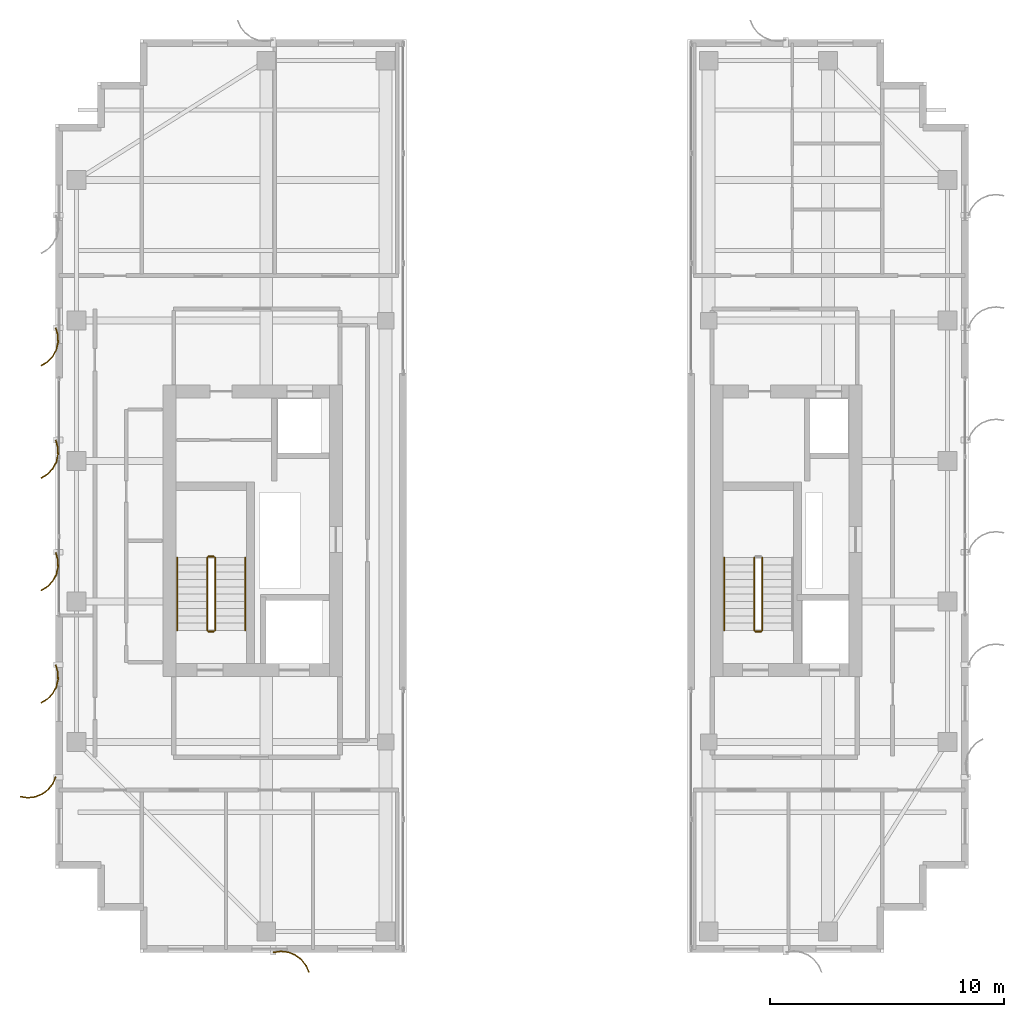
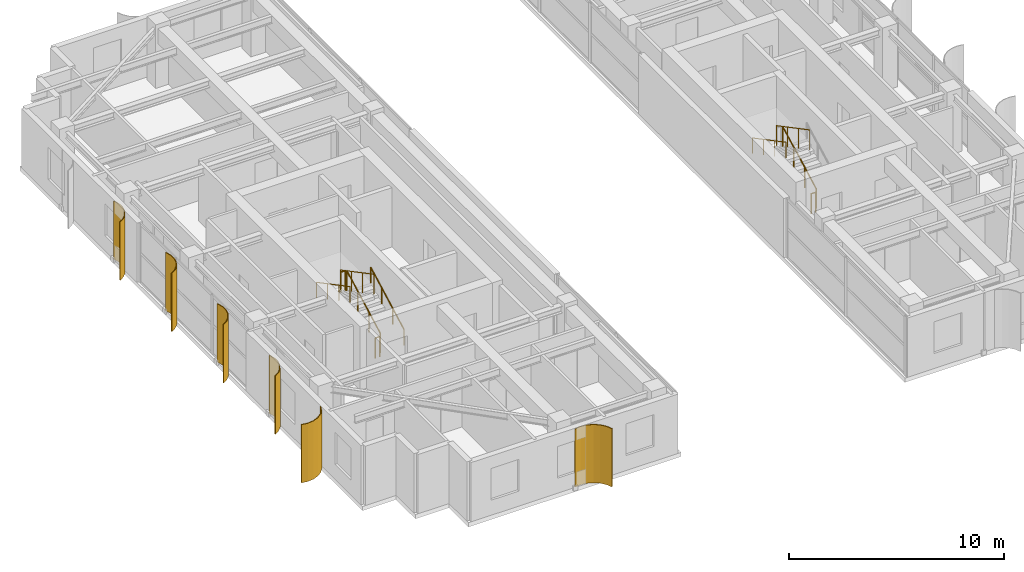
# One storey, part 22 of 24: 10 railings, 6 shading devices.
"""IFC4 building model written with IfcOpenShell, lengths in metres."""

from ifc_helpers import new_model, si_unit, direction, frame, origin, origin_2d, place, context, subcontext, project, spatial, polyline, circle, outline, extrude, source, transform, mapped, material, layer, layer_set, type_object, element, save


model = new_model("IFC4")

# Units and contexts
model_context = context("Model", 3, precision=1e-05, world=origin(), true_north=direction((0.0, 1.0)))
body_context = subcontext(model_context, "Body", "Model", "MODEL_VIEW")
ifc_project = project(units=[si_unit("LENGTHUNIT", "METRE"), si_unit("AREAUNIT", "SQUARE_METRE"), si_unit("VOLUMEUNIT", "CUBIC_METRE"), si_unit("PLANEANGLEUNIT", "RADIAN"), si_unit("MASSUNIT", "GRAM", prefix="KILO")], contexts=[model_context])

# Site, building, storey
site_placement = place(None, origin())
site = spatial("IfcSite", under=ifc_project, at=site_placement, CompositionType="ELEMENT")
building_placement = place(site_placement, origin())
building = spatial("IfcBuilding", under=site, at=building_placement, Name="Khoralis Quay Care Tower", CompositionType="ELEMENT")
storey_placement = place(building_placement, frame((0.0, 0.0, 249.300048828125)))
storey = spatial("IfcBuildingStorey", under=building, at=storey_placement, Name="L65", CompositionType="ELEMENT", Elevation=249.300048828125)

# Railings
ifc_material_1 = material(Name="Brushed stainless steel", Category="steel")
railing_type_1 = type_object("IfcRailingType", Name="RL-GUARD-1150", PredefinedType="GUARDRAIL", material=ifc_material_1)
railing_1_placement = place(storey_placement, frame((9.820068359375, 16.77001953125, 0.16357421875)))
element("IfcRailing", 1, at=railing_1_placement, inside=storey, type_object=railing_type_1, Name="L65 ST-T1 stair guard 1", PredefinedType="GUARDRAIL", context=body_context, shape_type="SweptSolid", body=[
    extrude(circle(Radius=0.02392578125, at=origin_2d()), frame((0.0, 0.0, 1.1259765625), z_axis=(0.0, 0.884348015382, 0.466828220752), x_axis=(-1.0, 0.0, 0.0)), (0.0, 0.0, 1.0), 3.505615234375),
    extrude(circle(Radius=0.02099609375, at=origin_2d()), origin(), (0.0, 0.0, 1.0), 1.101806640625),
    extrude(circle(Radius=0.02099609375, at=origin_2d()), frame((0.0, 1.033447265625, 0.54541015625)), (0.0, 0.0, 1.0), 1.101806640625),
    extrude(circle(Radius=0.02099609375, at=origin_2d()), frame((0.0, 2.066650390625, 1.091064453125)), (0.0, 0.0, 1.0), 1.101806640625),
    extrude(circle(Radius=0.02099609375, at=origin_2d()), frame((0.0, 3.10009765625, 1.636474609375)), (0.0, 0.0, 1.0), 1.101806640625),
])
railing_2_placement = place(storey_placement, frame((9.77001953125, 19.919921875, 1.800048828125)))
element("IfcRailing", 2, at=railing_2_placement, inside=storey, type_object=railing_type_1, Name="L65 ST-T1 stair guard 2", PredefinedType="GUARDRAIL", context=body_context, shape_type="SweptSolid", body=[
    extrude(circle(Radius=0.02392578125, at=origin_2d()), frame((0.0, 0.0, 1.1259765625), z_axis=(-1.0, 0.0, 0.0), x_axis=(0.0, -1.0, 0.0)), (0.0, 0.0, 1.0), 0.239990234375),
    extrude(circle(Radius=0.02099609375, at=origin_2d()), origin(), (0.0, 0.0, 1.0), 1.101806640625),
    extrude(circle(Radius=0.02099609375, at=origin_2d()), frame((-0.239990234375, 0.0, 0.0)), (0.0, 0.0, 1.0), 1.101806640625),
])
railing_3_placement = place(storey_placement, frame((9.47998046875, 19.8701171875, 1.963623046875)))
element("IfcRailing", 3, at=railing_3_placement, inside=storey, type_object=railing_type_1, Name="L65 ST-T1 stair guard 3", PredefinedType="GUARDRAIL", context=body_context, shape_type="SweptSolid", body=[
    extrude(circle(Radius=0.02392578125, at=origin_2d()), frame((0.0, 0.0, 1.1259765625), z_axis=(0.0, -0.884376766648, 0.46677375099), x_axis=(1.0, 0.0, 0.0)), (0.0, 0.0, 1.0), 3.50537109375),
    extrude(circle(Radius=0.02099609375, at=origin_2d()), origin(), (0.0, 0.0, 1.0), 1.101806640625),
    extrude(circle(Radius=0.02099609375, at=origin_2d()), frame((0.0, -1.033447265625, 0.54541015625)), (0.0, 0.0, 1.0), 1.101806640625),
    extrude(circle(Radius=0.02099609375, at=origin_2d()), frame((0.0, -2.066650390625, 1.0908203125)), (0.0, 0.0, 1.0), 1.101806640625),
    extrude(circle(Radius=0.02099609375, at=origin_2d()), frame((0.0, -3.10009765625, 1.63623046875)), (0.0, 0.0, 1.0), 1.101806640625),
])
railing_4_placement = place(storey_placement, frame((9.77001953125, 16.719970703125, 0.0)))
element("IfcRailing", 4, at=railing_4_placement, inside=storey, type_object=railing_type_1, Name="L65 ST-T1 stair guard 4", PredefinedType="GUARDRAIL", context=body_context, shape_type="SweptSolid", body=[
    extrude(circle(Radius=0.02392578125, at=origin_2d()), frame((0.0, 0.0, 1.1259765625), z_axis=(-1.0, 0.0, 0.0), x_axis=(0.0, -1.0, 0.0)), (0.0, 0.0, 1.0), 0.239990234375),
    extrude(circle(Radius=0.02099609375, at=origin_2d()), origin(), (0.0, 0.0, 1.0), 1.101806640625),
    extrude(circle(Radius=0.02099609375, at=origin_2d()), frame((-0.239990234375, 0.0, 0.0)), (0.0, 0.0, 1.0), 1.101806640625),
])
railing_5_placement = place(storey_placement, frame((33.18994140625, 16.77001953125, 0.16357421875)))
element("IfcRailing", 5, at=railing_5_placement, inside=storey, type_object=railing_type_1, Name="L65 ST-T2 stair guard 1", PredefinedType="GUARDRAIL", context=body_context, shape_type="SweptSolid", body=[
    extrude(circle(Radius=0.02392578125, at=origin_2d()), frame((0.0, 0.0, 1.1259765625), z_axis=(0.0, 0.884348015382, 0.466828220752), x_axis=(-1.0, 0.0, 0.0)), (0.0, 0.0, 1.0), 3.505615234375),
    extrude(circle(Radius=0.02099609375, at=origin_2d()), origin(), (0.0, 0.0, 1.0), 1.101806640625),
    extrude(circle(Radius=0.02099609375, at=origin_2d()), frame((0.0, 1.033447265625, 0.54541015625)), (0.0, 0.0, 1.0), 1.101806640625),
    extrude(circle(Radius=0.02099609375, at=origin_2d()), frame((0.0, 2.066650390625, 1.091064453125)), (0.0, 0.0, 1.0), 1.101806640625),
    extrude(circle(Radius=0.02099609375, at=origin_2d()), frame((0.0, 3.10009765625, 1.636474609375)), (0.0, 0.0, 1.0), 1.101806640625),
])
railing_6_placement = place(storey_placement, frame((32.85009765625, 19.8701171875, 1.963623046875)))
element("IfcRailing", 6, at=railing_6_placement, inside=storey, type_object=railing_type_1, Name="L65 ST-T2 stair guard 3", PredefinedType="GUARDRAIL", context=body_context, shape_type="SweptSolid", body=[
    extrude(circle(Radius=0.02392578125, at=origin_2d()), frame((0.0, 0.0, 1.1259765625), z_axis=(0.0, -0.884376766648, 0.46677375099), x_axis=(1.0, 0.0, 0.0)), (0.0, 0.0, 1.0), 3.50537109375),
    extrude(circle(Radius=0.02099609375, at=origin_2d()), origin(), (0.0, 0.0, 1.0), 1.101806640625),
    extrude(circle(Radius=0.02099609375, at=origin_2d()), frame((0.0, -1.033447265625, 0.54541015625)), (0.0, 0.0, 1.0), 1.101806640625),
    extrude(circle(Radius=0.02099609375, at=origin_2d()), frame((0.0, -2.066650390625, 1.0908203125)), (0.0, 0.0, 1.0), 1.101806640625),
    extrude(circle(Radius=0.02099609375, at=origin_2d()), frame((0.0, -3.10009765625, 1.63623046875)), (0.0, 0.0, 1.0), 1.101806640625),
])
railing_7_placement = place(storey_placement, frame((33.139892578125, 16.719970703125, 0.0)))
element("IfcRailing", 7, at=railing_7_placement, inside=storey, type_object=railing_type_1, Name="L65 ST-T2 stair guard 4", PredefinedType="GUARDRAIL", context=body_context, shape_type="SweptSolid", body=[
    extrude(circle(Radius=0.02392578125, at=origin_2d()), frame((0.0, 0.0, 1.1259765625), z_axis=(-1.0, 0.0, 0.0), x_axis=(0.0, -1.0, 0.0)), (0.0, 0.0, 1.0), 0.239990234375),
    extrude(circle(Radius=0.02099609375, at=origin_2d()), origin(), (0.0, 0.0, 1.0), 1.101806640625),
    extrude(circle(Radius=0.02099609375, at=origin_2d()), frame((-0.239990234375, 0.0, 0.0)), (0.0, 0.0, 1.0), 1.101806640625),
])
railing_type_2 = type_object("IfcRailingType", Name="RL-HAND-900", PredefinedType="HANDRAIL", material=ifc_material_1)
railing_8_placement = place(storey_placement, frame((11.10009765625, 16.77001953125, 0.16357421875)))
element("IfcRailing", 8, at=railing_8_placement, inside=storey, type_object=railing_type_2, Name="L65 ST-T1 stair handrail 1", PredefinedType="HANDRAIL", context=body_context, shape_type="SweptSolid", body=[
    extrude(circle(Radius=0.02392578125, at=origin_2d()), frame((0.0, 0.0, 0.8759765625), z_axis=(0.0, 0.884348015382, 0.466828220752), x_axis=(-1.0, 0.0, 0.0)), (0.0, 0.0, 1.0), 3.505615234375),
    extrude(circle(Radius=0.02099609375, at=origin_2d()), origin(), (0.0, 0.0, 1.0), 0.851806640625),
    extrude(circle(Radius=0.02099609375, at=origin_2d()), frame((0.0, 1.033447265625, 0.54541015625)), (0.0, 0.0, 1.0), 0.851806640625),
    extrude(circle(Radius=0.02099609375, at=origin_2d()), frame((0.0, 2.066650390625, 1.091064453125)), (0.0, 0.0, 1.0), 0.851806640625),
    extrude(circle(Radius=0.02099609375, at=origin_2d()), frame((0.0, 3.10009765625, 1.636474609375)), (0.0, 0.0, 1.0), 0.851806640625),
])
for number, where, name in (
    (9, (8.199951171875, 19.8701171875, 1.963623046875), "L65 ST-T1 stair handrail 2"),
    (10, (31.570068359375, 19.8701171875, 1.963623046875), "L65 ST-T2 stair handrail 2"),
):
    element("IfcRailing", number, at=place(storey_placement, frame(where)), inside=storey, type_object=railing_type_2, Name=name, PredefinedType="HANDRAIL", context=body_context, shape_type="SweptSolid", body=[
        extrude(circle(Radius=0.02392578125, at=origin_2d()), frame((0.0, 0.0, 0.8759765625), z_axis=(0.0, -0.884376766648, 0.46677375099), x_axis=(1.0, 0.0, 0.0)), (0.0, 0.0, 1.0), 3.50537109375),
        extrude(circle(Radius=0.02099609375, at=origin_2d()), origin(), (0.0, 0.0, 1.0), 0.851806640625),
        extrude(circle(Radius=0.02099609375, at=origin_2d()), frame((0.0, -1.033447265625, 0.54541015625)), (0.0, 0.0, 1.0), 0.851806640625),
        extrude(circle(Radius=0.02099609375, at=origin_2d()), frame((0.0, -2.066650390625, 1.0908203125)), (0.0, 0.0, 1.0), 0.851806640625),
        extrude(circle(Radius=0.02099609375, at=origin_2d()), frame((0.0, -3.10009765625, 1.63623046875)), (0.0, 0.0, 1.0), 0.851806640625),
    ])

# Shading devices
ifc_material_2 = material(Name="Brushed pale anodised aluminium", Category="aluminium")
ifc_layer = layer(ifc_material_2, 0.044921875)
ifc_layer_set = layer_set([ifc_layer], Name="Brushed pale anodised aluminium")
shading_device_type = type_object("IfcShadingDeviceType", Name="SHD-FIN-1250", PredefinedType="USERDEFINED", material=ifc_layer_set)
shared_shape_1 = source(origin(), body_context, "Body", "SweptSolid", [
    extrude(outline(polyline([(0.0, 0.0), (0.130126953125, 0.29931640625), (0.333251953125, 0.5546875), (0.595458984375, 0.748779296875), (0.899169921875, 0.868408203125), (1.223388671875, 0.9052734375), (1.546142578125, 0.85693359375), (1.53369140625, 0.813720703125), (1.22265625, 0.8603515625), (0.91015625, 0.82470703125), (0.617431640625, 0.70947265625), (0.364501953125, 0.522216796875), (0.168701171875, 0.276123046875), (0.043212890625, -0.012451171875), (0.0, 0.0)])), origin(), (0.0, 0.0, 1.0), 3.300048828125),
])
shading_device_1_placement = place(storey_placement, frame((3.030029296875, 10.5, 0.02001953125), z_axis=(0.0, 0.0, 1.0), x_axis=(-1.0, 0.0, 0.0)))
element("IfcShadingDevice", 11, at=shading_device_1_placement, inside=storey, type_object=shading_device_type, Name="L65 Curved Solar Fin P1E7-06", ObjectType="FIN", PredefinedType="USERDEFINED", context=body_context, shape_type="MappedRepresentation", body=[
    mapped(shared_shape_1, transform((0.0, 0.0, 0.0), scale=1.0)),
])
shared_shape_2 = source(origin(), body_context, "Body", "SweptSolid", [
    extrude(outline(polyline([(0.0, 0.0), (-0.04833984375, 0.32275390625), (-0.01123046875, 0.64697265625), (0.1083984375, 0.950439453125), (0.302490234375, 1.212890625), (0.557861328125, 1.416015625), (0.85693359375, 1.546142578125), (0.869384765625, 1.5029296875), (0.5810546875, 1.37744140625), (0.334716796875, 1.181640625), (0.147705078125, 0.9287109375), (0.032470703125, 0.635986328125), (-0.003173828125, 0.323486328125), (0.043212890625, 0.012451171875), (0.0, 0.0)])), origin(), (0.0, 0.0, 1.0), 3.300048828125),
])
shading_device_2_placement = place(storey_placement, frame((12.300048828125, 3.030029296875, 0.02001953125), z_axis=(0.0, 0.0, 1.0), x_axis=(0.0, -1.0, 0.0)))
element("IfcShadingDevice", 12, at=shading_device_2_placement, inside=storey, type_object=shading_device_type, Name="L65 Curved Solar Fin P1E0-01", ObjectType="FIN", PredefinedType="USERDEFINED", context=body_context, shape_type="MappedRepresentation", body=[
    mapped(shared_shape_2, transform((0.0, 0.0, 0.0), scale=1.0)),
])
shared_shape_3 = source(origin(), body_context, "Body", "SweptSolid", [
    extrude(outline(polyline([(0.0, 0.0), (-0.0927734375, 0.31298828125), (-0.101318359375, 0.63916015625), (-0.025146484375, 0.956298828125), (0.130615234375, 1.2431640625), (0.355224609375, 1.479736328125), (0.633544921875, 1.650390625), (0.65185546875, 1.609130859375), (0.383544921875, 1.44482421875), (0.1669921875, 1.216796875), (0.01708984375, 0.940185546875), (-0.056396484375, 0.63427734375), (-0.04833984375, 0.31982421875), (0.041015625, 0.018310546875), (0.0, 0.0)])), origin(), (0.0, 0.0, 1.0), 3.300048828125),
])
for number, where, z_axis, x_axis, name in (
    (13, (3.030029296875, 29.699951171875, 0.02001953125), (0.0, 0.0, 1.0), (-1.0, 0.0, 0.0), "L65 Curved Solar Fin P1E7-02"),
    (14, (3.030029296875, 24.89990234375, 0.02001953125), (0.0, 0.0, 1.0), (-1.0, 0.0, 0.0), "L65 Curved Solar Fin P1E7-03"),
    (15, (3.030029296875, 20.10009765625, 0.02001953125), (0.0, 0.0, 1.0), (-1.0, 0.0, 0.0), "L65 Curved Solar Fin P1E7-04"),
    (16, (3.030029296875, 15.300048828125, 0.02001953125), (0.0, 0.0, 1.0), (-1.0, 0.0, 0.0), "L65 Curved Solar Fin P1E7-05"),
):
    element("IfcShadingDevice", number, at=place(storey_placement, frame(where, z_axis=z_axis, x_axis=x_axis)), inside=storey, type_object=shading_device_type, Name=name, ObjectType="FIN", PredefinedType="USERDEFINED", context=body_context, shape_type="MappedRepresentation", body=[
        mapped(shared_shape_3, transform((0.0, 0.0, 0.0), scale=1.0)),
    ])

save(model, "model.ifc")
